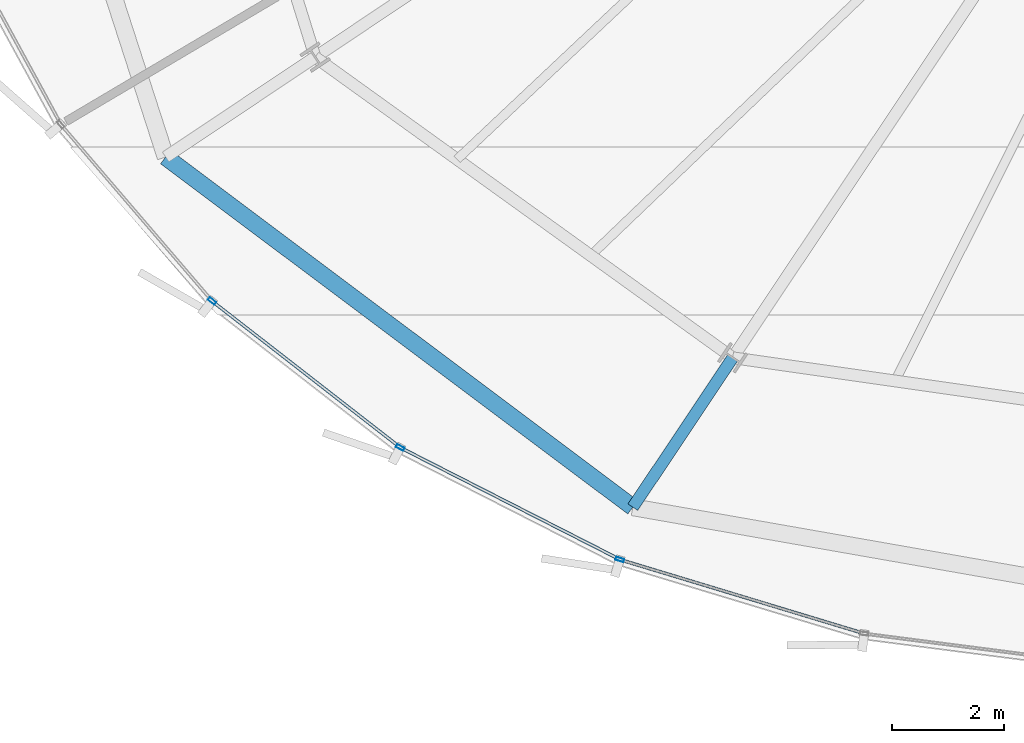
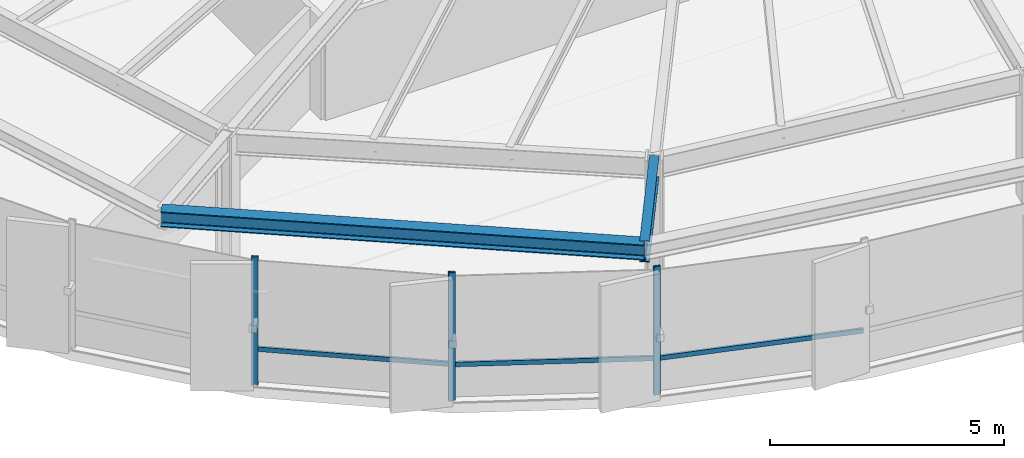
# One storey, part 2 of 34: 6 members, 2 beams, 1 element without a shape of its own.
"""IFC4 building model written with IfcOpenShell, lengths in metres."""

import ifcopenshell
import ifcopenshell.guid

model = None  # the IFC model being written
_history = None  # IfcOwnerHistory: only IFC2X3 demands one
_inside = {}  # id of a spatial element -> (the spatial element, [elements in it])
_under = {}  # id of a project, library or spatial element -> (it, [spatial elements below it])
_declared = {}  # id of a project -> (the project, [libraries it declares])
_typed = {}  # id of a type object -> (the type object, [elements of that type])
_made_of = {}  # id of a material, layer set ... -> (it, [elements and type objects made of it])


def new_model(schema):
    """Start an empty IFC model of exactly this schema.

    Asked for "IFC4X3", IfcOpenShell would pick the latest addendum, in which some entities
    have other attributes; the version numbers below select the first issue.
    IFC2X3 requires an IfcOwnerHistory on every rooted entity: one is made here for all.
    """
    global model, _history
    if schema == "IFC4X3":
        model = ifcopenshell.file(schema_version=(4, 3, 0, 0))
    else:
        model = ifcopenshell.file(schema=schema)
    _inside.clear()
    _under.clear()
    _declared.clear()
    _typed.clear()
    _made_of.clear()
    _history = None
    if model.schema == "IFC2X3":
        org = make("IfcOrganization", Name="unknown")
        user = make(
            "IfcPersonAndOrganization",
            ThePerson=make("IfcPerson", FamilyName="unknown"),
            TheOrganization=org,
        )
        app = make(
            "IfcApplication",
            ApplicationDeveloper=org,
            Version="unknown",
            ApplicationFullName="unknown",
            ApplicationIdentifier="unknown",
        )
        _history = make(
            "IfcOwnerHistory",
            OwningUser=user,
            OwningApplication=app,
            ChangeAction="ADDED",
            CreationDate=0,
        )
    return model


def make(cls, **values):
    """One entity of the class cls with the attributes given. An attribute that is None is left unset."""
    return model.create_entity(
        cls, **{name: value for name, value in values.items() if value is not None}
    )


def rooted(cls, **values):
    """An entity with a GlobalId (a new one), such as an element, a storey or a relation."""
    return make(cls, GlobalId=ifcopenshell.guid.new(), OwnerHistory=_history, **values)


def si_unit(unit_type, name, prefix=None):
    """IfcSIUnit, for example si_unit("LENGTHUNIT", "METRE", prefix="MILLI")."""
    return make("IfcSIUnit", UnitType=unit_type, Prefix=prefix, Name=name)


def assignment(units):
    """IfcUnitAssignment: the units of a project."""
    return None if units is None else make("IfcUnitAssignment", Units=units)


def point(xyz):
    """IfcCartesianPoint."""
    return None if xyz is None else make("IfcCartesianPoint", Coordinates=xyz)


def direction(xyz):
    """IfcDirection."""
    return None if xyz is None else make("IfcDirection", DirectionRatios=xyz)


def frame(location, z_axis=None, x_axis=None):
    """IfcAxis2Placement3D, a coordinate frame: its origin and axes. An axis left out is left unset."""
    return make(
        "IfcAxis2Placement3D",
        Location=point(location),
        Axis=direction(z_axis),
        RefDirection=direction(x_axis),
    )


def frame_2d(location, x_axis=None):
    """IfcAxis2Placement2D, a coordinate frame in the plane: its origin and x axis."""
    return make(
        "IfcAxis2Placement2D", Location=point(location), RefDirection=direction(x_axis)
    )


def origin():
    """The frame at (0, 0, 0) with its axes left unset."""
    return frame((0.0, 0.0, 0.0))


def origin_2d():
    """The frame at (0, 0) in the plane with its x axis left unset."""
    return frame_2d((0.0, 0.0))


def place(relative_to, where):
    """IfcLocalPlacement: puts the frame where relative to a parent placement (None: the world)."""
    return make(
        "IfcLocalPlacement", PlacementRelTo=relative_to, RelativePlacement=where
    )


def context(
    kind, dimensions, precision=None, world=None, true_north=None, identifier=None
):
    """IfcGeometricRepresentationContext, for example the 3D "Model" context."""
    return make(
        "IfcGeometricRepresentationContext",
        ContextIdentifier=identifier,
        ContextType=kind,
        CoordinateSpaceDimension=dimensions,
        Precision=precision,
        WorldCoordinateSystem=world,
        TrueNorth=true_north,
    )


def subcontext(parent, identifier, kind, view, scale=None):
    """IfcGeometricRepresentationSubContext, for example "Body" below "Model"."""
    return make(
        "IfcGeometricRepresentationSubContext",
        ContextIdentifier=identifier,
        ContextType=kind,
        ParentContext=parent,
        TargetScale=scale,
        TargetView=view,
    )


def project(units=None, contexts=None):
    """IfcProject with its units and contexts."""
    return rooted(
        "IfcProject",
        Name="project",
        RepresentationContexts=contexts,
        UnitsInContext=assignment(units),
    )


def spatial(cls, under=None, at=None, **own):
    """A site, building, storey or space (cls), placed at a placement, below another one or the project."""
    s = rooted(cls, ObjectPlacement=at, **own)
    if under is not None:
        _under.setdefault(under.id(), (under, []))[1].append(s)
    return s


def profile(cls, at=None, kind="AREA", **sizes):
    """A parametric profile (cls). Its sizes go by their IFC names, for example OverallWidth=200.0."""
    return make(cls, ProfileType=kind, Position=at, **sizes)


def hollow_rectangle(**sizes):
    """IfcRectangleHollowProfileDef."""
    return profile("IfcRectangleHollowProfileDef", **sizes)


def i_section(**sizes):
    """IfcIShapeProfileDef."""
    return profile("IfcIShapeProfileDef", **sizes)


def extrude(swept, where, along, depth):
    """IfcExtrudedAreaSolid: the profile swept, set in the frame where, extruded along a direction by depth."""
    return make(
        "IfcExtrudedAreaSolid",
        SweptArea=swept,
        Position=where,
        ExtrudedDirection=direction(along),
        Depth=depth,
    )


def shape(context_of_items, identifier, shape_type, items):
    """IfcShapeRepresentation: the items that make up one representation, for example the "Body"."""
    return make(
        "IfcShapeRepresentation",
        ContextOfItems=context_of_items,
        RepresentationIdentifier=identifier,
        RepresentationType=shape_type,
        Items=items,
    )


def source(mapping_origin, context_of_items, identifier, shape_type, items):
    """IfcRepresentationMap: a shape defined once, which mapped items show again and again."""
    return make(
        "IfcRepresentationMap",
        MappingOrigin=mapping_origin,
        MappedRepresentation=shape(context_of_items, identifier, shape_type, items),
    )


def transform(
    local_origin,
    x_axis=None,
    y_axis=None,
    z_axis=None,
    scale=None,
    scale2=None,
    scale3=None,
    uniform=True,
):
    """IfcCartesianTransformationOperator3D, or its non-uniform kind. x_axis, y_axis, z_axis: its Axis1, 2, 3."""
    if uniform:
        return make(
            "IfcCartesianTransformationOperator3D",
            Axis1=direction(x_axis),
            Axis2=direction(y_axis),
            LocalOrigin=point(local_origin),
            Scale=scale,
            Axis3=direction(z_axis),
        )
    return make(
        "IfcCartesianTransformationOperator3DnonUniform",
        Axis1=direction(x_axis),
        Axis2=direction(y_axis),
        LocalOrigin=point(local_origin),
        Scale=scale,
        Axis3=direction(z_axis),
        Scale2=scale2,
        Scale3=scale3,
    )


def mapped(mapping_source, mapping_target):
    """IfcMappedItem: shows the shape of a source again, moved by a transform."""
    return make(
        "IfcMappedItem", MappingSource=mapping_source, MappingTarget=mapping_target
    )


def material(Name=None, Category=None):
    """IfcMaterial."""
    return make("IfcMaterial", Name=Name, Category=Category)


def layer(
    of_material, thickness, ventilated=None, Name=None, Category=None, Priority=None
):
    """IfcMaterialLayer: one layer of a wall or slab, of a material (None: an air gap)."""
    return make(
        "IfcMaterialLayer",
        Material=of_material,
        LayerThickness=thickness,
        IsVentilated=ventilated,
        Name=Name,
        Category=Category,
        Priority=Priority,
    )


def layer_set(layers, Name=None):
    """IfcMaterialLayerSet."""
    return make("IfcMaterialLayerSet", MaterialLayers=layers, LayerSetName=Name)


def material_profile(
    of_material, cross_section, Name=None, Category=None, Priority=None
):
    """IfcMaterialProfile: a cross section and its material."""
    return make(
        "IfcMaterialProfile",
        Name=Name,
        Material=of_material,
        Profile=cross_section,
        Priority=Priority,
        Category=Category,
    )


def profile_set(profiles, Name=None, composite=None):
    """IfcMaterialProfileSet."""
    return make(
        "IfcMaterialProfileSet",
        Name=Name,
        MaterialProfiles=profiles,
        CompositeProfile=composite,
    )


def made_of(thing, what):
    """Note that an element or type object is made of a material, layer set ...; save() writes the relation."""
    if what is not None:
        _made_of.setdefault(what.id(), (what, []))[1].append(thing)
    return thing


def type_object(cls, material=None, **own):
    """A type object (cls), such as IfcWallType, which elements share."""
    return made_of(rooted(cls, **own), material)


def element(
    cls,
    number,
    at=None,
    inside=None,
    cuts=None,
    type_object=None,
    material=None,
    context=None,
    identifier="Body",
    shape_type=None,
    held_by="IfcProductDefinitionShape",
    body=None,
    shapes=None,
    **own,
):
    """One element of the class cls, such as IfcWall. Its Tag is "e" and its number.

    at: its placement. inside: the storey or other place that contains it. cuts: it is an
    opening in that element (IfcRelVoidsElement). A single representation is given by context,
    identifier, shape_type and body (its items); several are given by shapes. held_by: the class
    of the entity that holds the representations. save() writes the other relations.
    """
    e = rooted(cls, Tag="e%d" % number, ObjectPlacement=at, **own)
    if body is not None:
        shapes = [shape(context, identifier, shape_type, body)]
    if shapes is not None:
        e.Representation = make(held_by, Representations=shapes)
    if inside is not None:
        _inside.setdefault(inside.id(), (inside, []))[1].append(e)
    if cuts is not None:
        rooted(
            "IfcRelVoidsElement", RelatingBuildingElement=cuts, RelatedOpeningElement=e
        )
    if type_object is not None:
        _typed.setdefault(type_object.id(), (type_object, []))[1].append(e)
    return made_of(e, material)


def aggregate(whole, parts):
    """IfcRelAggregates: a whole, such as a stair, and the parts it consists of."""
    return rooted("IfcRelAggregates", RelatingObject=whole, RelatedObjects=parts)


def save(model, path):
    """Write the relations noted so far, then the file.

    IfcRelAggregates (storeys below a building ...), IfcRelContainedInSpatialStructure (elements
    in a storey), IfcRelDefinesByType, IfcRelAssociatesMaterial and IfcRelDeclares: one each for
    every whole, place, type object, material and project.
    """
    for whole, parts in _under.values():
        aggregate(whole, parts)
    for where, things in _inside.values():
        rooted(
            "IfcRelContainedInSpatialStructure",
            RelatedElements=things,
            RelatingStructure=where,
        )
    for kind, things in _typed.values():
        rooted("IfcRelDefinesByType", RelatedObjects=things, RelatingType=kind)
    for what, things in _made_of.values():
        rooted("IfcRelAssociatesMaterial", RelatedObjects=things, RelatingMaterial=what)
    for by, libraries in _declared.values():
        rooted("IfcRelDeclares", RelatingContext=by, RelatedDefinitions=libraries)
    model.write(path)


model = new_model("IFC4")

# Units and contexts
model_context = context("Model", 3, precision=1e-05, world=origin(), true_north=direction((0.0, 1.0)))
body_context = subcontext(model_context, "Body", "Model", "MODEL_VIEW")
ifc_project = project(units=[si_unit("LENGTHUNIT", "METRE"), si_unit("AREAUNIT", "SQUARE_METRE"), si_unit("VOLUMEUNIT", "CUBIC_METRE"), si_unit("PLANEANGLEUNIT", "RADIAN"), si_unit("MASSUNIT", "GRAM", prefix="KILO"), si_unit("THERMODYNAMICTEMPERATUREUNIT", "KELVIN")], contexts=[model_context])

# Site, building, storey
site_placement = place(None, origin())
site = spatial("IfcSite", under=ifc_project, at=site_placement, CompositionType="ELEMENT")
building_placement = place(site_placement, origin())
building = spatial("IfcBuilding", under=site, at=building_placement, Name="Kethvar Cultural Tower", CompositionType="ELEMENT")
storey_placement = place(building_placement, frame((0.0, 0.0, 125.199951171875)))
storey = spatial("IfcBuildingStorey", under=building, at=storey_placement, Name="L31", CompositionType="ELEMENT", Elevation=125.199951171875)

# Beams
ifc_material_1 = material(Name="Steel S355J2", Category="steel")
ifc_material_profile_1 = material_profile(ifc_material_1, i_section(OverallWidth=0.2099609375, OverallDepth=0.550048828125, WebThickness=0.010986328125, FlangeThickness=0.01708984375, FilletRadius=0.02392578125, at=origin_2d()), Name="Steel S355J2 — IPE550")
ifc_profile_set_1 = profile_set([ifc_material_profile_1], Name="Steel S355J2 — IPE550")
beam_type_1 = type_object("IfcBeamType", Name="BM-IPE550", PredefinedType="BEAM", material=ifc_profile_set_1)
shared_shape_1 = source(origin(), body_context, "Body", "SweptSolid", [
    extrude(i_section(OverallWidth=0.2099609375, OverallDepth=0.550048828125, WebThickness=0.010986328125, FlangeThickness=0.01708984375, FilletRadius=0.02392578125, at=origin_2d()), origin(), (0.0, 0.0, 1.0), 3.199951171875),
])
beam_1_placement = place(storey_placement, frame((34.350830078125, 9.16845703125, 3.072998046875), z_axis=(-0.555580212716, -0.831462943996, 0.0), x_axis=(0.831462943996, -0.555580212716, 0.0)))
element("IfcBeam", 1, at=beam_1_placement, inside=storey, type_object=beam_type_1, Name="L31 Perimeter Cantilever Beam RC-11", PredefinedType="BEAM", context=body_context, shape_type="MappedRepresentation", body=[
    mapped(shared_shape_1, transform((0.0, 0.0, 0.0), scale=1.0)),
])
ifc_material_profile_2 = material_profile(ifc_material_1, i_section(OverallWidth=0.300048828125, OverallDepth=0.39990234375, WebThickness=0.013427734375, FlangeThickness=0.02392578125, FilletRadius=0.027099609375, at=origin_2d()), Name="Steel S355J2 — HEB400")
ifc_profile_set_2 = profile_set([ifc_material_profile_2], Name="Steel S355J2 — HEB400")
beam_type_2 = type_object("IfcBeamType", Name="BM-SP400", PredefinedType="SPANDREL", material=ifc_profile_set_2)
shared_shape_2 = source(origin(), body_context, "Body", "SweptSolid", [
    extrude(i_section(OverallWidth=0.300048828125, OverallDepth=0.39990234375, WebThickness=0.013427734375, FlangeThickness=0.02392578125, FilletRadius=0.027099609375, at=origin_2d()), origin(), (0.0, 0.0, 1.0), 10.38916015625),
])
beam_2_placement = place(storey_placement, frame((24.260009765625, 12.7392578125, 3.14794921875), z_axis=(0.800152249906, -0.599796946449, 0.0), x_axis=(0.599796946449, 0.800152249906, 0.0)))
element("IfcBeam", 2, at=beam_2_placement, inside=storey, type_object=beam_type_2, Name="L31 Perimeter Spandrel Beam SP-10", PredefinedType="SPANDREL", context=body_context, shape_type="MappedRepresentation", body=[
    mapped(shared_shape_2, transform((0.0, 0.0, 0.0), scale=1.0)),
])

# Curtain wall, members
ifc_material_2 = material(Name="Aluminium 6063-T6", Category="aluminium")
ifc_layer = layer(ifc_material_2, 0.179931640625, Name="Aluminium 6063-T6", Category="aluminium")
ifc_layer_set = layer_set([ifc_layer], Name="Aluminium 6063-T6 (180 mm)")
curtain_wall_type = type_object("IfcCurtainWallType", Name="CW-SYS-03-Z2", PredefinedType="NOTDEFINED", material=ifc_layer_set)
curtain_wall_placement = place(storey_placement, origin())
curtain_wall = element("IfcCurtainWall", 3, at=curtain_wall_placement, inside=storey, type_object=curtain_wall_type, Name="L31 Curtain Wall Run 04", PredefinedType="NOTDEFINED")
ifc_material_profile_3 = material_profile(ifc_material_2, hollow_rectangle(XDim=0.06005859375, YDim=0.14990234375, WallThickness=0.0048828125, at=origin_2d()), Name="Aluminium 6063-T6 — RHS150x60x5")
ifc_profile_set_3 = profile_set([ifc_material_profile_3], Name="Aluminium 6063-T6 — RHS150x60x5")
member_type_1 = type_object("IfcMemberType", Name="CW-SYS-03-Z2-MUL", PredefinedType="MULLION", material=ifc_profile_set_3)
shared_shape_3 = source(origin(), body_context, "Body", "SweptSolid", [
    extrude(hollow_rectangle(XDim=0.06005859375, YDim=0.14990234375, WallThickness=0.0048828125, at=origin_2d()), origin(), (0.0, 0.0, 1.0), 3.35009765625),
])
member_1_placement = place(storey_placement, frame((25.084228515625, 10.177001953125, 0.0), z_axis=(0.0, 0.0, 1.0), x_axis=(0.613844396624, 0.789427043325, 0.0)))
member_1 = element("IfcMember", 4, at=member_1_placement, type_object=member_type_1, Name="CW-L31-R04 Mullion 3", PredefinedType="MULLION", context=body_context, shape_type="MappedRepresentation", body=[
    mapped(shared_shape_3, transform((0.0, 0.0, 0.0), scale=1.0)),
])
member_2_placement = place(storey_placement, frame((28.433837890625, 7.56982421875, 0.0), z_axis=(0.0, 0.0, 1.0), x_axis=(0.453959397468, 0.891022370904, 0.0)))
member_2 = element("IfcMember", 5, at=member_2_placement, type_object=member_type_1, Name="CW-L31-R04 Mullion 4", PredefinedType="MULLION", context=body_context, shape_type="MappedRepresentation", body=[
    mapped(shared_shape_3, transform((0.0, 0.0, 0.0), scale=1.0)),
])
member_3_placement = place(storey_placement, frame((32.34228515625, 5.576416015625, 0.0), z_axis=(0.0, 0.0, 1.0), x_axis=(0.289766880243, 0.957097254783, 0.0)))
member_3 = element("IfcMember", 6, at=member_3_placement, type_object=member_type_1, Name="CW-L31-R04 Mullion 5", PredefinedType="MULLION", context=body_context, shape_type="MappedRepresentation", body=[
    mapped(shared_shape_3, transform((0.0, 0.0, 0.0), scale=1.0)),
])
ifc_material_profile_4 = material_profile(ifc_material_2, hollow_rectangle(XDim=0.054931640625, YDim=0.1201171875, WallThickness=0.00390625, at=origin_2d()), Name="Aluminium 6063-T6 — RHS120x55x4")
ifc_profile_set_4 = profile_set([ifc_material_profile_4], Name="Aluminium 6063-T6 — RHS120x55x4")
member_type_2 = type_object("IfcMemberType", Name="CW-SYS-03-Z2-TRN", PredefinedType="USERDEFINED", material=ifc_profile_set_4)
shared_shape_4 = source(origin(), body_context, "Body", "SweptSolid", [
    extrude(hollow_rectangle(XDim=0.054931640625, YDim=0.1201171875, WallThickness=0.00390625, at=origin_2d()), origin(), (0.0, 0.0, 1.0), 4.179931640625),
])
member_4_placement = place(storey_placement, frame((25.118408203125, 10.150390625, 0.949951171875), z_axis=(0.78944970474, -0.61381525208, 0.0), x_axis=(0.61381525208, 0.78944970474, 0.0)))
member_4 = element("IfcMember", 7, at=member_4_placement, type_object=member_type_2, Name="CW-L31-R04 Transom 3", ObjectType="TRANSOM", PredefinedType="USERDEFINED", context=body_context, shape_type="MappedRepresentation", body=[
    mapped(shared_shape_4, transform((0.0, 0.0, 0.0), scale=1.0)),
])
shared_shape_5 = source(origin(), body_context, "Body", "SweptSolid", [
    extrude(hollow_rectangle(XDim=0.054931640625, YDim=0.1201171875, WallThickness=0.00390625, at=origin_2d()), origin(), (0.0, 0.0, 1.0), 4.3212890625),
])
member_5_placement = place(storey_placement, frame((28.472412109375, 7.55029296875, 0.949951171875), z_axis=(0.891000259229, -0.454002795204, 0.0), x_axis=(0.454002795204, 0.891000259229, 0.0)))
member_5 = element("IfcMember", 8, at=member_5_placement, type_object=member_type_2, Name="CW-L31-R04 Transom 4", ObjectType="TRANSOM", PredefinedType="USERDEFINED", context=body_context, shape_type="MappedRepresentation", body=[
    mapped(shared_shape_5, transform((0.0, 0.0, 0.0), scale=1.0)),
])
shared_shape_6 = source(origin(), body_context, "Body", "SweptSolid", [
    extrude(hollow_rectangle(XDim=0.054931640625, YDim=0.1201171875, WallThickness=0.00390625, at=origin_2d()), origin(), (0.0, 0.0, 1.0), 4.477294921875),
])
member_6_placement = place(storey_placement, frame((32.3837890625, 5.563720703125, 0.949951171875), z_axis=(0.957111957456, -0.289718313011, 0.0), x_axis=(0.289718313011, 0.957111957456, 0.0)))
member_6 = element("IfcMember", 9, at=member_6_placement, type_object=member_type_2, Name="CW-L31-R04 Transom 5", ObjectType="TRANSOM", PredefinedType="USERDEFINED", context=body_context, shape_type="MappedRepresentation", body=[
    mapped(shared_shape_6, transform((0.0, 0.0, 0.0), scale=1.0)),
])
aggregate(curtain_wall, [member_1, member_2, member_3, member_4, member_5, member_6])

save(model, "model.ifc")
